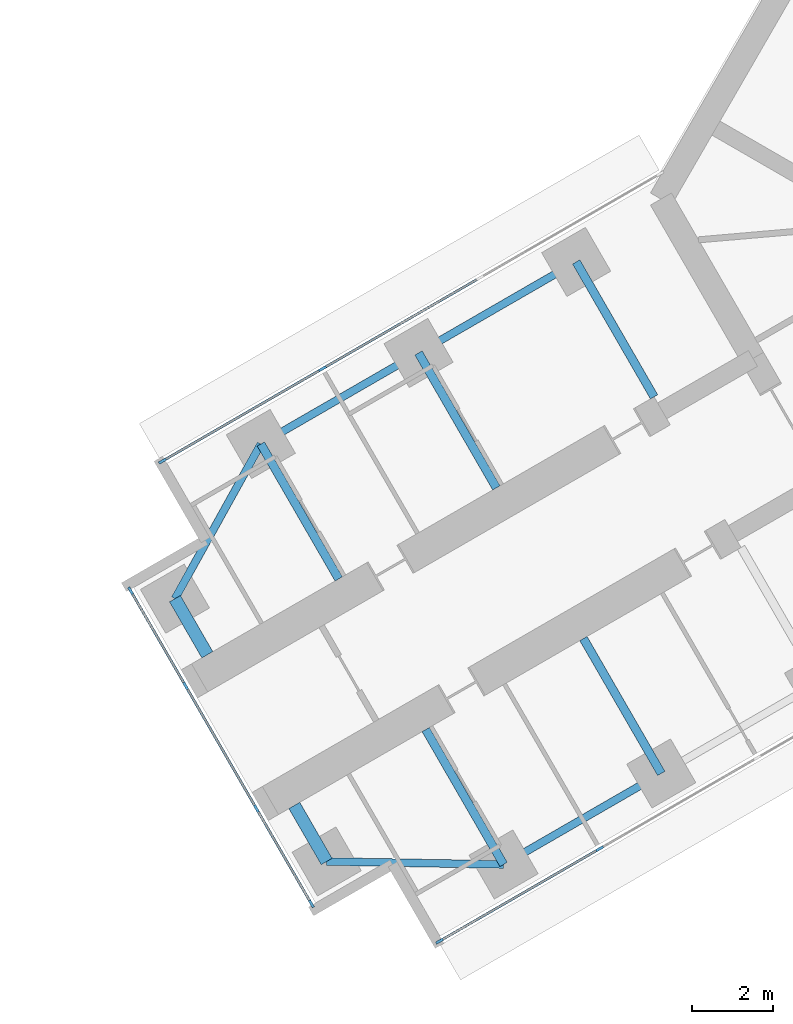
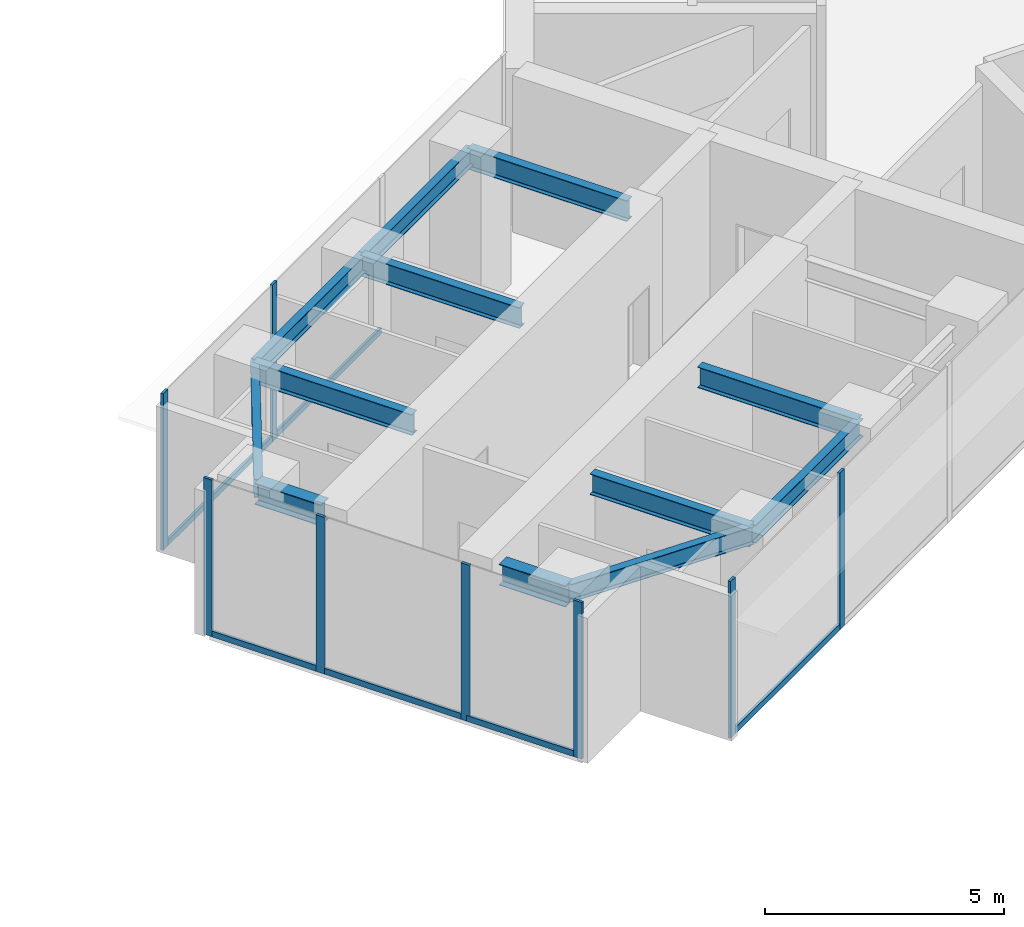
# One storey, part 3 of 23: 14 members, 12 beams, 3 elements without a shape of their own.
"""IFC4 building model written with IfcOpenShell, lengths in metres."""

from ifc_helpers import new_model, si_unit, direction, frame, origin, origin_2d, place, context, subcontext, project, spatial, rectangle, i_section, extrude, material, material_profile, profile_set, type_object, element, aggregate, save


model = new_model("IFC4")

# Units and contexts
model_context = context("Model", 3, precision=1e-05, world=origin(), true_north=direction((0.0, 1.0)))
body_context = subcontext(model_context, "Body", "Model", "MODEL_VIEW")
ifc_project = project(units=[si_unit("LENGTHUNIT", "METRE"), si_unit("AREAUNIT", "SQUARE_METRE"), si_unit("VOLUMEUNIT", "CUBIC_METRE"), si_unit("PLANEANGLEUNIT", "RADIAN"), si_unit("MASSUNIT", "GRAM", prefix="KILO")], contexts=[model_context])

# Site, building, storey
site_placement = place(None, origin())
site = spatial("IfcSite", under=ifc_project, at=site_placement, CompositionType="ELEMENT")
building_placement = place(site_placement, origin())
building = spatial("IfcBuilding", under=site, at=building_placement, Name="Upepo Twin Towers", CompositionType="ELEMENT")
storey_placement = place(building_placement, frame((0.0, 0.0, 161.5)))
storey = spatial("IfcBuildingStorey", under=building, at=storey_placement, Name="L39", CompositionType="ELEMENT", Elevation=161.5)

# Beams
ifc_material_1 = material(Name="Steel S355", Category="steel")
ifc_material_profile_1 = material_profile(ifc_material_1, i_section(OverallWidth=0.1904296875, OverallDepth=0.45703125, WebThickness=0.009033203125, FlangeThickness=0.014404296875, FilletRadius=0.01025390625, at=origin_2d()), Name="UB 457x191x74")
ifc_profile_set_1 = profile_set([ifc_material_profile_1], Name="Steel S355")
beam_type_1 = type_object("IfcBeamType", Name="Beam UB 457x191x74", PredefinedType="BEAM", material=ifc_profile_set_1)
beam_1_placement = place(storey_placement, frame((45.91162109375, -32.196044921875, 3.471435546875), z_axis=(-0.866031096941, -0.499990139034, 0.0), x_axis=(0.499990139034, -0.866031096941, 0.0)))
element("IfcBeam", 1, at=beam_1_placement, inside=storey, type_object=beam_type_1, Name="T2 edge beam BL 18.0-22.5", PredefinedType="BEAM", context=body_context, shape_type="SweptSolid", body=[
    extrude(i_section(OverallWidth=0.1904296875, OverallDepth=0.45703125, WebThickness=0.009033203125, FlangeThickness=0.014404296875, FilletRadius=0.01025390625, at=origin_2d()), origin(), (0.0, 0.0, 1.0), 4.5),
])
beam_2_placement = place(storey_placement, frame((42.014404296875, -34.446044921875, 3.471435546875), z_axis=(-0.999858804832, 0.016803880528, 0.0), x_axis=(-0.016803880528, -0.999858804832, 0.0)))
element("IfcBeam", 2, at=beam_2_placement, inside=storey, type_object=beam_type_1, Name="T2 nose edge beam BL", PredefinedType="BEAM", context=body_context, shape_type="SweptSolid", body=[
    extrude(i_section(OverallWidth=0.1904296875, OverallDepth=0.45703125, WebThickness=0.009033203125, FlangeThickness=0.014404296875, FilletRadius=0.01025390625, at=origin_2d()), origin(), (0.0, 0.0, 1.0), 4.373291015625),
])
beam_3_placement = place(storey_placement, frame((43.80859375, -19.553955078125, 3.471435546875), z_axis=(-0.866017533419, -0.500013631625, 0.0), x_axis=(0.500013631625, -0.866017533419, 0.0)))
element("IfcBeam", 3, at=beam_3_placement, inside=storey, type_object=beam_type_1, Name="T2 edge beam BR 13.5-18.0", PredefinedType="BEAM", context=body_context, shape_type="SweptSolid", body=[
    extrude(i_section(OverallWidth=0.1904296875, OverallDepth=0.45703125, WebThickness=0.009033203125, FlangeThickness=0.014404296875, FilletRadius=0.01025390625, at=origin_2d()), origin(), (0.0, 0.0, 1.0), 4.499755859375),
])
beam_4_placement = place(storey_placement, frame((39.91162109375, -21.803955078125, 3.471435546875), z_axis=(-0.866031096941, -0.499990139034, 0.0), x_axis=(0.499990139034, -0.866031096941, 0.0)))
element("IfcBeam", 4, at=beam_4_placement, inside=storey, type_object=beam_type_1, Name="T2 edge beam BR 18.0-22.5", PredefinedType="BEAM", context=body_context, shape_type="SweptSolid", body=[
    extrude(i_section(OverallWidth=0.1904296875, OverallDepth=0.45703125, WebThickness=0.009033203125, FlangeThickness=0.014404296875, FilletRadius=0.01025390625, at=origin_2d()), origin(), (0.0, 0.0, 1.0), 4.5),
])
beam_5_placement = place(storey_placement, frame((36.014404296875, -24.053955078125, 3.471435546875), z_axis=(-0.485363242752, -0.874312600038, 0.0), x_axis=(0.874312600038, -0.485363242752, 0.0)))
element("IfcBeam", 5, at=beam_5_placement, inside=storey, type_object=beam_type_1, Name="T2 nose edge beam BR", PredefinedType="BEAM", context=body_context, shape_type="SweptSolid", body=[
    extrude(i_section(OverallWidth=0.1904296875, OverallDepth=0.45703125, WebThickness=0.009033203125, FlangeThickness=0.014404296875, FilletRadius=0.01025390625, at=origin_2d()), origin(), (0.0, 0.0, 1.0), 4.373046875),
])
ifc_material_2 = material(Name="Steel S355", Category="steel")
ifc_material_profile_2 = material_profile(ifc_material_2, i_section(OverallWidth=0.209228515625, OverallDepth=0.533203125, WebThickness=0.010009765625, FlangeThickness=0.015625, FilletRadius=0.0126953125, at=origin_2d()), Name="UB 533x210x92")
ifc_profile_set_2 = profile_set([ifc_material_profile_2], Name="Steel S355")
beam_type_2 = type_object("IfcBeamType", Name="Beam UB 533x210x92", PredefinedType="BEAM", material=ifc_profile_set_2)
for number, where, z_axis, x_axis, name in (
    (6, (45.91162109375, -32.196044921875, 3.433349609375), (-0.500033517596, 0.866006051527, 0.0), (-0.866006051527, -0.500033517596, 0.0), "T2 girder BL at 18.0"),
    (7, (42.014404296875, -34.446044921875, 3.433349609375), (-0.500033517596, 0.866006051527, 0.0), (-0.866006051527, -0.500033517596, 0.0), "T2 girder BL at 22.5"),
    (8, (43.80859375, -19.553955078125, 3.433349609375), (0.500033517596, -0.866006051527, 0.0), (0.866006051527, 0.500033517596, 0.0), "T2 girder BR at 13.5"),
):
    element("IfcBeam", number, at=place(storey_placement, frame(where, z_axis=z_axis, x_axis=x_axis)), inside=storey, type_object=beam_type_2, Name=name, PredefinedType="BEAM", context=body_context, shape_type="SweptSolid", body=[
        extrude(i_section(OverallWidth=0.209228515625, OverallDepth=0.533203125, WebThickness=0.010009765625, FlangeThickness=0.015625, FilletRadius=0.0126953125, at=origin_2d()), origin(), (0.0, 0.0, 1.0), 3.849853515625),
    ])
beam_6_placement = place(storey_placement, frame((39.91162109375, -21.803955078125, 3.433349609375), z_axis=(0.499985955615, -0.866033512162, 0.0), x_axis=(0.866033512162, 0.499985955615, 0.0)))
element("IfcBeam", 9, at=beam_6_placement, inside=storey, type_object=beam_type_2, Name="T2 girder BR at 18.0", PredefinedType="BEAM", context=body_context, shape_type="SweptSolid", body=[
    extrude(i_section(OverallWidth=0.209228515625, OverallDepth=0.533203125, WebThickness=0.010009765625, FlangeThickness=0.015625, FilletRadius=0.0126953125, at=origin_2d()), origin(), (0.0, 0.0, 1.0), 3.849609375),
])
beam_7_placement = place(storey_placement, frame((36.014404296875, -24.053955078125, 3.433349609375), z_axis=(0.500033517596, -0.866006051527, 0.0), x_axis=(0.866006051527, 0.500033517596, 0.0)))
element("IfcBeam", 10, at=beam_7_placement, inside=storey, type_object=beam_type_2, Name="T2 girder BR at 22.5", PredefinedType="BEAM", context=body_context, shape_type="SweptSolid", body=[
    extrude(i_section(OverallWidth=0.209228515625, OverallDepth=0.533203125, WebThickness=0.010009765625, FlangeThickness=0.015625, FilletRadius=0.0126953125, at=origin_2d()), origin(), (0.0, 0.0, 1.0), 3.849853515625),
])
ifc_material_3 = material(Name="Steel S355", Category="steel")
ifc_material_profile_3 = material_profile(ifc_material_3, i_section(OverallWidth=0.31201171875, OverallDepth=0.54345703125, WebThickness=0.0126953125, FlangeThickness=0.020263671875, FilletRadius=0.0126953125, at=origin_2d()), Name="UB 533x312x150")
ifc_profile_set_3 = profile_set([ifc_material_profile_3], Name="Steel S355")
beam_type_3 = type_object("IfcBeamType", Name="Beam UB 533x312x150", PredefinedType="BEAM", material=ifc_profile_set_3)
for number, where, z_axis, x_axis, name in (
    (11, (37.641845703125, -34.37255859375, 3.42822265625), (-0.500061482766, 0.865989903783, 0.0), (-0.865989903783, -0.500061482766, 0.0), "T2 nose beam BL"),
    (12, (33.891845703125, -27.87744140625, 3.42822265625), (0.500061482766, -0.865989903783, 0.0), (0.865989903783, 0.500061482766, 0.0), "T2 nose beam BR"),
):
    element("IfcBeam", number, at=place(storey_placement, frame(where, z_axis=z_axis, x_axis=x_axis)), inside=storey, type_object=beam_type_3, Name=name, PredefinedType="BEAM", context=body_context, shape_type="SweptSolid", body=[
        extrude(i_section(OverallWidth=0.31201171875, OverallDepth=0.54345703125, WebThickness=0.0126953125, FlangeThickness=0.020263671875, FilletRadius=0.0126953125, at=origin_2d()), origin(), (0.0, 0.0, 1.0), 1.599853515625),
    ])

# Curtain wall, members
ifc_material_4 = material(Name="Aluminium and fritted glass", Category="aluminium")
curtain_wall_type = type_object("IfcCurtainWallType", Name="Tower curtain wall TW2, fritted glass", PredefinedType="NOTDEFINED", material=ifc_material_4)
curtain_wall_1_placement = place(storey_placement, origin())
curtain_wall_1 = element("IfcCurtainWall", 13, at=curtain_wall_1_placement, inside=storey, type_object=curtain_wall_type, Name="T2 L39 wing B flank L curtain wall", PredefinedType="NOTDEFINED")
ifc_material_5 = material(Name="Aluminium mullion", Category="aluminium")
ifc_material_profile_4 = material_profile(ifc_material_5, rectangle(XDim=0.06494140625, YDim=0.199951171875, at=origin_2d()), Name="MULLION 65x200")
ifc_profile_set_4 = profile_set([ifc_material_profile_4], Name="Aluminium mullion")
member_type_1 = type_object("IfcMemberType", Name="Mullion 65x200 TW2", PredefinedType="MULLION", material=ifc_profile_set_4)
member_1_placement = place(storey_placement, frame((44.387939453125, -34.057373046875, 0.0), z_axis=(0.0, 0.0, 1.0), x_axis=(0.500000010308, -0.866025397833, 0.0)))
member_1 = element("IfcMember", 14, at=member_1_placement, type_object=member_type_1, Name="T2 L39 wing B flank L curtain wall mullion 3", PredefinedType="MULLION", context=body_context, shape_type="SweptSolid", body=[
    extrude(rectangle(XDim=0.06494140625, YDim=0.199951171875, at=origin_2d()), origin(), (0.0, 0.0, 1.0), 4.0),
])
member_2_placement = place(storey_placement, frame((40.432373046875, -36.341064453125, 0.0), z_axis=(0.0, 0.0, 1.0), x_axis=(0.500000010308, -0.866025397833, 0.0)))
member_2 = element("IfcMember", 15, at=member_2_placement, type_object=member_type_1, Name="T2 L39 wing B flank L curtain wall mullion 4", PredefinedType="MULLION", context=body_context, shape_type="SweptSolid", body=[
    extrude(rectangle(XDim=0.06494140625, YDim=0.199951171875, at=origin_2d()), origin(), (0.0, 0.0, 1.0), 4.0),
])

curtain_wall_2_placement = place(storey_placement, origin())
curtain_wall_2 = element("IfcCurtainWall", 16, at=curtain_wall_2_placement, inside=storey, type_object=curtain_wall_type, Name="T2 L39 wing B flank R curtain wall", PredefinedType="NOTDEFINED")
member_3_placement = place(storey_placement, frame((33.58251953125, -24.4765625, 0.0), z_axis=(0.0, 0.0, 1.0), x_axis=(-0.500000010308, 0.866025397833, 0.0)))
member_3 = element("IfcMember", 17, at=member_3_placement, type_object=member_type_1, Name="T2 L39 wing B flank R curtain wall mullion 1", PredefinedType="MULLION", context=body_context, shape_type="SweptSolid", body=[
    extrude(rectangle(XDim=0.06494140625, YDim=0.199951171875, at=origin_2d()), origin(), (0.0, 0.0, 1.0), 4.0),
])
member_4_placement = place(storey_placement, frame((37.5380859375, -22.192626953125, 0.0), z_axis=(0.0, 0.0, 1.0), x_axis=(-0.500000010308, 0.866025397833, 0.0)))
member_4 = element("IfcMember", 18, at=member_4_placement, type_object=member_type_1, Name="T2 L39 wing B flank R curtain wall mullion 2", PredefinedType="MULLION", context=body_context, shape_type="SweptSolid", body=[
    extrude(rectangle(XDim=0.06494140625, YDim=0.199951171875, at=origin_2d()), origin(), (0.0, 0.0, 1.0), 4.0),
])

curtain_wall_3_placement = place(storey_placement, origin())
curtain_wall_3 = element("IfcCurtainWall", 19, at=curtain_wall_3_placement, inside=storey, type_object=curtain_wall_type, Name="T2 L39 wing B nose curtain wall", PredefinedType="NOTDEFINED")
member_5_placement = place(storey_placement, frame((32.796875, -27.68115234375, 0.0), z_axis=(0.0, 0.0, 1.0), x_axis=(0.866025386174, 0.500000030502, 0.0)))
member_5 = element("IfcMember", 20, at=member_5_placement, type_object=member_type_1, Name="T2 L39 wing B nose curtain wall mullion 1", PredefinedType="MULLION", context=body_context, shape_type="SweptSolid", body=[
    extrude(rectangle(XDim=0.06494140625, YDim=0.199951171875, at=origin_2d()), origin(), (0.0, 0.0, 1.0), 4.0),
])
member_6_placement = place(storey_placement, frame((34.15576171875, -30.034423828125, 0.0), z_axis=(0.0, 0.0, 1.0), x_axis=(0.866025386174, 0.500000030502, 0.0)))
member_6 = element("IfcMember", 21, at=member_6_placement, type_object=member_type_1, Name="T2 L39 wing B nose curtain wall mullion 2", PredefinedType="MULLION", context=body_context, shape_type="SweptSolid", body=[
    extrude(rectangle(XDim=0.06494140625, YDim=0.199951171875, at=origin_2d()), origin(), (0.0, 0.0, 1.0), 4.0),
])
member_7_placement = place(storey_placement, frame((35.90576171875, -33.0654296875, 0.0), z_axis=(0.0, 0.0, 1.0), x_axis=(0.866025386174, 0.500000030502, 0.0)))
member_7 = element("IfcMember", 22, at=member_7_placement, type_object=member_type_1, Name="T2 L39 wing B nose curtain wall mullion 3", PredefinedType="MULLION", context=body_context, shape_type="SweptSolid", body=[
    extrude(rectangle(XDim=0.06494140625, YDim=0.199951171875, at=origin_2d()), origin(), (0.0, 0.0, 1.0), 4.0),
])
member_8_placement = place(storey_placement, frame((37.264404296875, -35.4189453125, 0.0), z_axis=(0.0, 0.0, 1.0), x_axis=(0.866025386174, 0.500000030502, 0.0)))
member_8 = element("IfcMember", 23, at=member_8_placement, type_object=member_type_1, Name="T2 L39 wing B nose curtain wall mullion 4", PredefinedType="MULLION", context=body_context, shape_type="SweptSolid", body=[
    extrude(rectangle(XDim=0.06494140625, YDim=0.199951171875, at=origin_2d()), origin(), (0.0, 0.0, 1.0), 4.0),
])

# Member
ifc_material_6 = material(Name="Aluminium transom", Category="aluminium")
ifc_material_profile_5 = material_profile(ifc_material_6, rectangle(XDim=0.06494140625, YDim=0.14990234375, at=origin_2d()), Name="TRANSOM 65x150")
ifc_profile_set_5 = profile_set([ifc_material_profile_5], Name="Aluminium transom")
member_type_2 = type_object("IfcMemberType", Name="Transom 65x150 TW2", PredefinedType="USERDEFINED", material=ifc_profile_set_5)
member_9_placement = place(storey_placement, frame((44.35986328125, -34.073486328125, 0.074951171875), z_axis=(-0.866035699072, -0.499982167615, 0.0), x_axis=(0.499982167615, -0.866035699072, 0.0)))
member_9 = element("IfcMember", 24, at=member_9_placement, type_object=member_type_2, Name="T2 L39 wing B flank L curtain wall transom 3", ObjectType="TRANSOM", PredefinedType="USERDEFINED", context=body_context, shape_type="SweptSolid", body=[
    extrude(rectangle(XDim=0.06494140625, YDim=0.14990234375, at=origin_2d()), origin(), (0.0, 0.0, 1.0), 4.502685546875),
])

aggregate(curtain_wall_1, [member_1, member_2, member_9])

member_10_placement = place(storey_placement, frame((33.610595703125, -24.460205078125, 0.074951171875), z_axis=(0.866022143554, 0.500005646842, 0.0), x_axis=(-0.500005646842, 0.866022143554, 0.0)))
member_10 = element("IfcMember", 25, at=member_10_placement, type_object=member_type_2, Name="T2 L39 wing B flank R curtain wall transom 1", ObjectType="TRANSOM", PredefinedType="USERDEFINED", context=body_context, shape_type="SweptSolid", body=[
    extrude(rectangle(XDim=0.06494140625, YDim=0.14990234375, at=origin_2d()), origin(), (0.0, 0.0, 1.0), 4.50244140625),
])

member_11_placement = place(storey_placement, frame((37.566162109375, -22.176513671875, 0.074951171875), z_axis=(0.866022410713, 0.500005184116, 0.0), x_axis=(-0.500005184116, 0.866022410713, 0.0)))
member_11 = element("IfcMember", 26, at=member_11_placement, type_object=member_type_2, Name="T2 L39 wing B flank R curtain wall transom 2", ObjectType="TRANSOM", PredefinedType="USERDEFINED", context=body_context, shape_type="SweptSolid", body=[
    extrude(rectangle(XDim=0.06494140625, YDim=0.14990234375, at=origin_2d()), origin(), (0.0, 0.0, 1.0), 4.43505859375),
])

aggregate(curtain_wall_2, [member_3, member_4, member_10, member_11])

member_12_placement = place(storey_placement, frame((32.813232421875, -27.709228515625, 0.074951171875), z_axis=(0.499980071345, -0.866036909293, 0.0), x_axis=(0.866036909293, 0.499980071345, 0.0)))
member_12 = element("IfcMember", 27, at=member_12_placement, type_object=member_type_2, Name="T2 L39 wing B nose curtain wall transom 1", ObjectType="TRANSOM", PredefinedType="USERDEFINED", context=body_context, shape_type="SweptSolid", body=[
    extrude(rectangle(XDim=0.06494140625, YDim=0.14990234375, at=origin_2d()), origin(), (0.0, 0.0, 1.0), 2.65234375),
])

member_13_placement = place(storey_placement, frame((34.171875, -30.0625, 0.074951171875), z_axis=(0.499999305434, -0.866025804792, 0.0), x_axis=(0.866025804792, 0.499999305434, 0.0)))
member_13 = element("IfcMember", 28, at=member_13_placement, type_object=member_type_2, Name="T2 L39 wing B nose curtain wall transom 2", ObjectType="TRANSOM", PredefinedType="USERDEFINED", context=body_context, shape_type="SweptSolid", body=[
    extrude(rectangle(XDim=0.06494140625, YDim=0.14990234375, at=origin_2d()), origin(), (0.0, 0.0, 1.0), 3.43505859375),
])

member_14_placement = place(storey_placement, frame((35.921875, -33.09375, 0.074951171875), z_axis=(0.500049101008, -0.865997053448, 0.0), x_axis=(0.865997053448, 0.500049101008, 0.0)))
member_14 = element("IfcMember", 29, at=member_14_placement, type_object=member_type_2, Name="T2 L39 wing B nose curtain wall transom 3", ObjectType="TRANSOM", PredefinedType="USERDEFINED", context=body_context, shape_type="SweptSolid", body=[
    extrude(rectangle(XDim=0.06494140625, YDim=0.14990234375, at=origin_2d()), origin(), (0.0, 0.0, 1.0), 2.652587890625),
])

aggregate(curtain_wall_3, [member_5, member_6, member_7, member_8, member_12, member_13, member_14])

save(model, "model.ifc")
